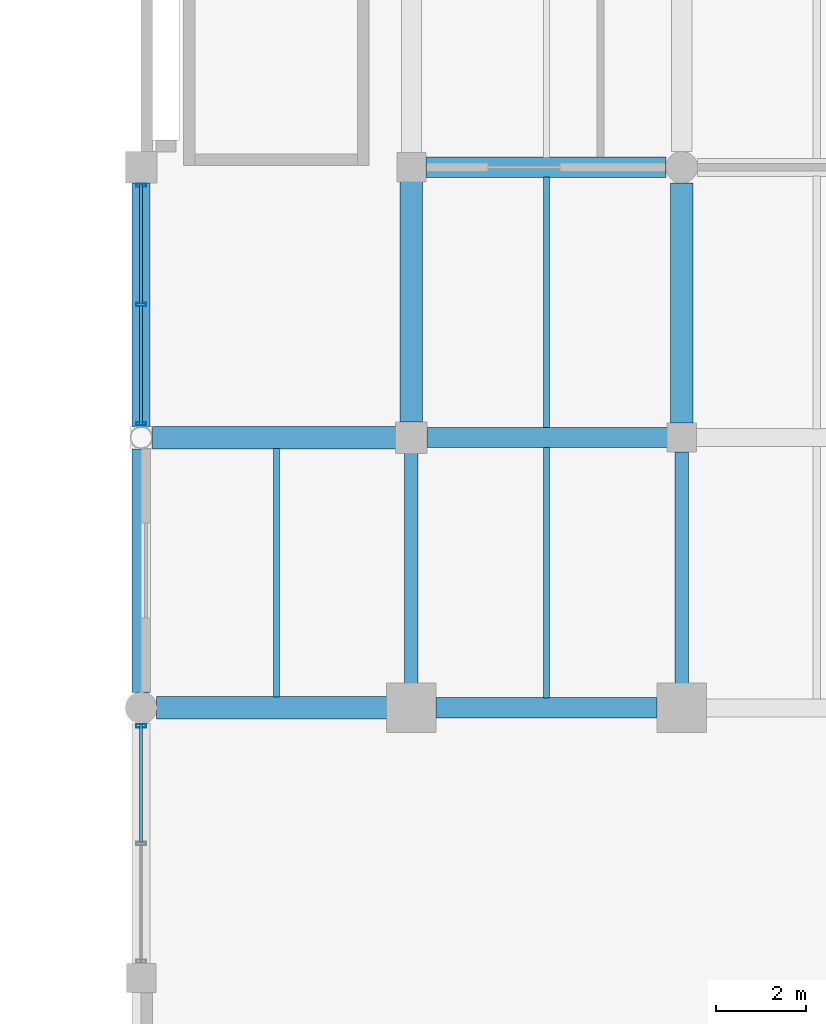
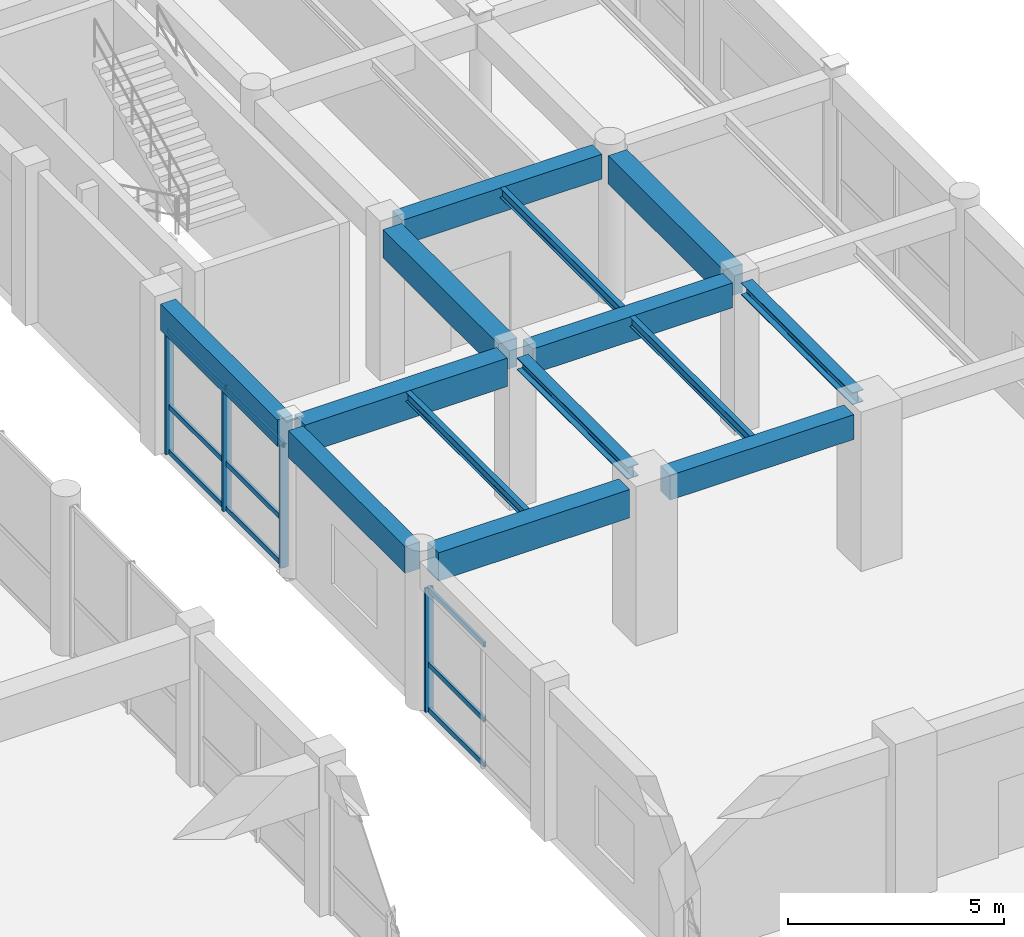
# One storey, part 63 of 116: 14 beams, 13 members, 2 elements without a shape of their own.
"""IFC4 building model written with IfcOpenShell, lengths in metres."""

from ifc_helpers import new_model, si_unit, direction, frame, origin, origin_2d, place, context, subcontext, project, spatial, rectangle, hollow_rectangle, i_section, extrude, material, material_profile, profile_set, type_object, element, aggregate, save


model = new_model("IFC4")

# Units and contexts
model_context = context("Model", 3, precision=1e-05, world=origin(), true_north=direction((0.0, 1.0)))
body_context = subcontext(model_context, "Body", "Model", "MODEL_VIEW")
ifc_project = project(units=[si_unit("LENGTHUNIT", "METRE"), si_unit("AREAUNIT", "SQUARE_METRE"), si_unit("VOLUMEUNIT", "CUBIC_METRE"), si_unit("PLANEANGLEUNIT", "RADIAN"), si_unit("MASSUNIT", "GRAM", prefix="KILO"), si_unit("THERMODYNAMICTEMPERATUREUNIT", "KELVIN"), si_unit("POWERUNIT", "WATT")], contexts=[model_context])

# Site, building, storey
site_placement = place(None, origin())
site = spatial("IfcSite", under=ifc_project, at=site_placement, CompositionType="ELEMENT")
building_placement = place(site_placement, origin())
building = spatial("IfcBuilding", under=site, at=building_placement, Name="Phaisarnlok Congress Hotel", CompositionType="ELEMENT")
storey_placement = place(building_placement, frame((0.0, 0.0, 10.5)))
storey = spatial("IfcBuildingStorey", under=building, at=storey_placement, Name="L02", CompositionType="ELEMENT", Elevation=10.5)

# Beams
ifc_material_1 = material(Name="Concrete C40/50", Category="concrete")
ifc_material_profile_1 = material_profile(ifc_material_1, rectangle(XDim=0.449951171875, YDim=0.699951171875, at=origin_2d()), Name="RC 450x700")
ifc_profile_set_1 = profile_set([ifc_material_profile_1], Name="Concrete C40/50")
beam_type_1 = type_object("IfcBeamType", Name="BM-RC-450x700", PredefinedType="BEAM", material=ifc_profile_set_1)
beam_1_placement = place(storey_placement, frame((168.544921875, 66.0, 3.889892578125), z_axis=(1.0, 0.0, 0.0), x_axis=(0.0, 1.0, 0.0)))
element("IfcBeam", 1, at=beam_1_placement, inside=storey, type_object=beam_type_1, Name="Beam B-03", PredefinedType="BEAM", context=body_context, shape_type="SweptSolid", body=[
    extrude(rectangle(XDim=0.449951171875, YDim=0.699951171875, at=origin_2d()), origin(), (0.0, 0.0, 1.0), 4.91015625),
])
for number, where, z_axis, x_axis, name in (
    (2, (168.344970703125, 72.0, 3.889892578125), (1.0, 0.0, 0.0), (0.0, 1.0, 0.0), "Beam B-03"),
    (3, (168.320068359375, 78.0, 3.889892578125), (1.0, 0.0, 0.0), (0.0, 1.0, 0.0), "Beam B-03"),
):
    element("IfcBeam", number, at=place(storey_placement, frame(where, z_axis=z_axis, x_axis=x_axis)), inside=storey, type_object=beam_type_1, Name=name, PredefinedType="BEAM", context=body_context, shape_type="SweptSolid", body=[
        extrude(rectangle(XDim=0.449951171875, YDim=0.699951171875, at=origin_2d()), origin(), (0.0, 0.0, 1.0), 5.3349609375),
    ])
ifc_material_profile_2 = material_profile(ifc_material_1, rectangle(XDim=0.5, YDim=0.800048828125, at=origin_2d()), Name="RC 500x800")
ifc_profile_set_2 = profile_set([ifc_material_profile_2], Name="Concrete C40/50")
beam_type_2 = type_object("IfcBeamType", Name="BM-RC-500x800", PredefinedType="BEAM", material=ifc_profile_set_2)
beam_2_placement = place(storey_placement, frame((162.344970703125, 66.0, 3.840087890625), z_axis=(1.0, 0.0, 0.0), x_axis=(0.0, 1.0, 0.0)))
element("IfcBeam", 4, at=beam_2_placement, inside=storey, type_object=beam_type_2, Name="Beam B-04", PredefinedType="BEAM", context=body_context, shape_type="SweptSolid", body=[
    extrude(rectangle(XDim=0.5, YDim=0.800048828125, at=origin_2d()), origin(), (0.0, 0.0, 1.0), 5.110107421875),
])
beam_3_placement = place(storey_placement, frame((162.2490234375, 72.0, 3.840087890625), z_axis=(1.0, 0.0, 0.0), x_axis=(0.0, 1.0, 0.0)))
element("IfcBeam", 5, at=beam_3_placement, inside=storey, type_object=beam_type_2, Name="Beam B-04", PredefinedType="BEAM", context=body_context, shape_type="SweptSolid", body=[
    extrude(rectangle(XDim=0.5, YDim=0.800048828125, at=origin_2d()), origin(), (0.0, 0.0, 1.0), 5.406005859375),
])
for number, where, z_axis, x_axis, name in (
    (6, (168.0, 72.344970703125, 3.840087890625), (0.0, 1.0, 0.0), (-1.0, 0.0, 0.0), "Beam B-04"),
    (7, (174.0, 72.320068359375, 3.840087890625), (0.0, 1.0, 0.0), (-1.0, 0.0, 0.0), "Beam B-04"),
):
    element("IfcBeam", number, at=place(storey_placement, frame(where, z_axis=z_axis, x_axis=x_axis)), inside=storey, type_object=beam_type_2, Name=name, PredefinedType="BEAM", context=body_context, shape_type="SweptSolid", body=[
        extrude(rectangle(XDim=0.5, YDim=0.800048828125, at=origin_2d()), origin(), (0.0, 0.0, 1.0), 5.3349609375),
    ])
ifc_material_2 = material(Name="Steel S355", Category="steel")
ifc_material_profile_3 = material_profile(ifc_material_2, i_section(OverallWidth=0.300048828125, OverallDepth=0.340087890625, WebThickness=0.011962890625, FlangeThickness=0.021484375, FilletRadius=0.027099609375, at=origin_2d()), Name="HEB 340")
ifc_profile_set_3 = profile_set([ifc_material_profile_3], Name="Steel S355")
beam_type_3 = type_object("IfcBeamType", Name="BM-STL-HEB340", PredefinedType="BEAM", material=ifc_profile_set_3)
beam_4_placement = place(storey_placement, frame((168.0, 66.544921875, 4.070068359375), z_axis=(0.0, 1.0, 0.0), x_axis=(-1.0, 0.0, 0.0)))
element("IfcBeam", 8, at=beam_4_placement, inside=storey, type_object=beam_type_3, Name="Beam SB-07", PredefinedType="BEAM", context=body_context, shape_type="SweptSolid", body=[
    extrude(i_section(OverallWidth=0.300048828125, OverallDepth=0.340087890625, WebThickness=0.011962890625, FlangeThickness=0.021484375, FilletRadius=0.027099609375, at=origin_2d()), origin(), (0.0, 0.0, 1.0), 5.110107421875),
])
beam_5_placement = place(storey_placement, frame((174.0, 66.544921875, 4.070068359375), z_axis=(0.0, 1.0, 0.0), x_axis=(-1.0, 0.0, 0.0)))
element("IfcBeam", 9, at=beam_5_placement, inside=storey, type_object=beam_type_3, Name="Beam SB-07", PredefinedType="BEAM", context=body_context, shape_type="SweptSolid", body=[
    extrude(i_section(OverallWidth=0.300048828125, OverallDepth=0.340087890625, WebThickness=0.011962890625, FlangeThickness=0.021484375, FilletRadius=0.027099609375, at=origin_2d()), origin(), (0.0, 0.0, 1.0), 5.135009765625),
])

# Curtain wall, members
ifc_material_3 = material(Name="Thermally Broken Unitised Aluminium & Low-E Glazing", Category="aluminium")
curtain_wall_type_1 = type_object("IfcCurtainWallType", Name="CW-UNIT-17", PredefinedType="NOTDEFINED", material=ifc_material_3)
curtain_wall_1_placement = place(storey_placement, origin())
curtain_wall_1 = element("IfcCurtainWall", 10, at=curtain_wall_1_placement, inside=storey, type_object=curtain_wall_type_1, Name="Unitised curtain wall CW-17 (L02)", PredefinedType="NOTDEFINED")
ifc_material_4 = material(Name="Anodised Aluminium Alloy 6063-T6", Category="aluminium")
ifc_material_profile_4 = material_profile(ifc_material_4, hollow_rectangle(XDim=0.074951171875, YDim=0.219970703125, WallThickness=0.0048828125, at=origin_2d()), Name="ALU-M 75x220x5")
ifc_profile_set_4 = profile_set([ifc_material_profile_4], Name="Anodised Aluminium Alloy 6063-T6")
member_type_1 = type_object("IfcMemberType", Name="CWM-220", PredefinedType="MULLION", material=ifc_profile_set_4)
member_1_placement = place(storey_placement, frame((162.0, 77.60009765625, 0.0), z_axis=(0.0, 0.0, 1.0), x_axis=(0.0, -1.0, 0.0)))
member_1 = element("IfcMember", 11, at=member_1_placement, type_object=member_type_1, Name="Curtain wall mullion CWM-02", PredefinedType="MULLION", context=body_context, shape_type="SweptSolid", body=[
    extrude(hollow_rectangle(XDim=0.074951171875, YDim=0.219970703125, WallThickness=0.0048828125, at=origin_2d()), origin(), (0.0, 0.0, 1.0), 3.489990234375),
])
member_2_placement = place(storey_placement, frame((162.0, 74.951904296875, 0.0), z_axis=(0.0, 0.0, 1.0), x_axis=(0.0, -1.0, 0.0)))
member_2 = element("IfcMember", 12, at=member_2_placement, type_object=member_type_1, Name="Curtain wall mullion CWM-02", PredefinedType="MULLION", context=body_context, shape_type="SweptSolid", body=[
    extrude(hollow_rectangle(XDim=0.074951171875, YDim=0.219970703125, WallThickness=0.0048828125, at=origin_2d()), origin(), (0.0, 0.0, 1.0), 3.489990234375),
])
member_3_placement = place(storey_placement, frame((162.0, 72.303955078125, 0.0), z_axis=(0.0, 0.0, 1.0), x_axis=(0.0, -1.0, 0.0)))
member_3 = element("IfcMember", 13, at=member_3_placement, type_object=member_type_1, Name="Curtain wall mullion CWM-02", PredefinedType="MULLION", context=body_context, shape_type="SweptSolid", body=[
    extrude(hollow_rectangle(XDim=0.074951171875, YDim=0.219970703125, WallThickness=0.0048828125, at=origin_2d()), origin(), (0.0, 0.0, 1.0), 3.489990234375),
])

# Curtain wall, member
curtain_wall_type_2 = type_object("IfcCurtainWallType", Name="CW-UNIT-16", PredefinedType="NOTDEFINED", material=ifc_material_3)
curtain_wall_2_placement = place(storey_placement, origin())
curtain_wall_2 = element("IfcCurtainWall", 14, at=curtain_wall_2_placement, inside=storey, type_object=curtain_wall_type_2, Name="Unitised curtain wall CW-16 (L02)", PredefinedType="NOTDEFINED")
member_4_placement = place(storey_placement, frame((162.0, 65.60009765625, 0.0), z_axis=(0.0, 0.0, 1.0), x_axis=(0.0, -1.0, 0.0)))
member_4 = element("IfcMember", 15, at=member_4_placement, type_object=member_type_1, Name="Curtain wall mullion CWM-02", PredefinedType="MULLION", context=body_context, shape_type="SweptSolid", body=[
    extrude(hollow_rectangle(XDim=0.074951171875, YDim=0.219970703125, WallThickness=0.0048828125, at=origin_2d()), origin(), (0.0, 0.0, 1.0), 3.489990234375),
])

# Member
ifc_material_profile_5 = material_profile(ifc_material_4, hollow_rectangle(XDim=0.06494140625, YDim=0.139892578125, WallThickness=0.00390625, at=origin_2d()), Name="ALU-T 65x140x4")
ifc_profile_set_5 = profile_set([ifc_material_profile_5], Name="Anodised Aluminium Alloy 6063-T6")
member_type_2 = type_object("IfcMemberType", Name="CWT-150", PredefinedType="USERDEFINED", material=ifc_profile_set_5)
member_5_placement = place(storey_placement, frame((162.0, 77.625, 0.050048828125), z_axis=(0.0, -1.0, 0.0), x_axis=(1.0, 0.0, 0.0)))
member_5 = element("IfcMember", 16, at=member_5_placement, type_object=member_type_2, Name="Curtain wall transom CWT-01", ObjectType="TRANSOM", PredefinedType="USERDEFINED", context=body_context, shape_type="SweptSolid", body=[
    extrude(hollow_rectangle(XDim=0.06494140625, YDim=0.139892578125, WallThickness=0.00390625, at=origin_2d()), origin(), (0.0, 0.0, 1.0), 2.657958984375),
])

member_6_placement = place(storey_placement, frame((162.0, 77.625, 1.326171875), z_axis=(0.0, -1.0, 0.0), x_axis=(1.0, 0.0, 0.0)))
member_6 = element("IfcMember", 17, at=member_6_placement, type_object=member_type_2, Name="Curtain wall transom CWT-01", ObjectType="TRANSOM", PredefinedType="USERDEFINED", context=body_context, shape_type="SweptSolid", body=[
    extrude(hollow_rectangle(XDim=0.06494140625, YDim=0.139892578125, WallThickness=0.00390625, at=origin_2d()), origin(), (0.0, 0.0, 1.0), 2.657958984375),
])

member_7_placement = place(storey_placement, frame((162.0, 77.625, 3.43994140625), z_axis=(0.0, -1.0, 0.0), x_axis=(1.0, 0.0, 0.0)))
member_7 = element("IfcMember", 18, at=member_7_placement, type_object=member_type_2, Name="Curtain wall transom CWT-01", ObjectType="TRANSOM", PredefinedType="USERDEFINED", context=body_context, shape_type="SweptSolid", body=[
    extrude(hollow_rectangle(XDim=0.06494140625, YDim=0.139892578125, WallThickness=0.00390625, at=origin_2d()), origin(), (0.0, 0.0, 1.0), 2.657958984375),
])

member_8_placement = place(storey_placement, frame((162.0, 74.93701171875, 0.050048828125), z_axis=(0.0, -1.0, 0.0), x_axis=(1.0, 0.0, 0.0)))
member_8 = element("IfcMember", 19, at=member_8_placement, type_object=member_type_2, Name="Curtain wall transom CWT-01", ObjectType="TRANSOM", PredefinedType="USERDEFINED", context=body_context, shape_type="SweptSolid", body=[
    extrude(hollow_rectangle(XDim=0.06494140625, YDim=0.139892578125, WallThickness=0.00390625, at=origin_2d()), origin(), (0.0, 0.0, 1.0), 2.657958984375),
])

member_9_placement = place(storey_placement, frame((162.0, 74.93701171875, 1.326171875), z_axis=(0.0, -1.0, 0.0), x_axis=(1.0, 0.0, 0.0)))
member_9 = element("IfcMember", 20, at=member_9_placement, type_object=member_type_2, Name="Curtain wall transom CWT-01", ObjectType="TRANSOM", PredefinedType="USERDEFINED", context=body_context, shape_type="SweptSolid", body=[
    extrude(hollow_rectangle(XDim=0.06494140625, YDim=0.139892578125, WallThickness=0.00390625, at=origin_2d()), origin(), (0.0, 0.0, 1.0), 2.657958984375),
])

member_10_placement = place(storey_placement, frame((162.0, 74.93701171875, 3.43994140625), z_axis=(0.0, -1.0, 0.0), x_axis=(1.0, 0.0, 0.0)))
member_10 = element("IfcMember", 21, at=member_10_placement, type_object=member_type_2, Name="Curtain wall transom CWT-01", ObjectType="TRANSOM", PredefinedType="USERDEFINED", context=body_context, shape_type="SweptSolid", body=[
    extrude(hollow_rectangle(XDim=0.06494140625, YDim=0.139892578125, WallThickness=0.00390625, at=origin_2d()), origin(), (0.0, 0.0, 1.0), 2.657958984375),
])

aggregate(curtain_wall_1, [member_1, member_2, member_3, member_5, member_6, member_7, member_8, member_9, member_10])

member_11_placement = place(storey_placement, frame((162.0, 65.625, 0.050048828125), z_axis=(0.0, -1.0, 0.0), x_axis=(1.0, 0.0, 0.0)))
member_11 = element("IfcMember", 22, at=member_11_placement, type_object=member_type_2, Name="Curtain wall transom CWT-01", ObjectType="TRANSOM", PredefinedType="USERDEFINED", context=body_context, shape_type="SweptSolid", body=[
    extrude(hollow_rectangle(XDim=0.06494140625, YDim=0.139892578125, WallThickness=0.00390625, at=origin_2d()), origin(), (0.0, 0.0, 1.0), 2.62255859375),
])

member_12_placement = place(storey_placement, frame((162.0, 65.625, 1.326171875), z_axis=(0.0, -1.0, 0.0), x_axis=(1.0, 0.0, 0.0)))
member_12 = element("IfcMember", 23, at=member_12_placement, type_object=member_type_2, Name="Curtain wall transom CWT-01", ObjectType="TRANSOM", PredefinedType="USERDEFINED", context=body_context, shape_type="SweptSolid", body=[
    extrude(hollow_rectangle(XDim=0.06494140625, YDim=0.139892578125, WallThickness=0.00390625, at=origin_2d()), origin(), (0.0, 0.0, 1.0), 2.62255859375),
])

member_13_placement = place(storey_placement, frame((162.0, 65.625, 3.43994140625), z_axis=(0.0, -1.0, 0.0), x_axis=(1.0, 0.0, 0.0)))
member_13 = element("IfcMember", 24, at=member_13_placement, type_object=member_type_2, Name="Curtain wall transom CWT-01", ObjectType="TRANSOM", PredefinedType="USERDEFINED", context=body_context, shape_type="SweptSolid", body=[
    extrude(hollow_rectangle(XDim=0.06494140625, YDim=0.139892578125, WallThickness=0.00390625, at=origin_2d()), origin(), (0.0, 0.0, 1.0), 2.62255859375),
])

aggregate(curtain_wall_2, [member_4, member_11, member_12, member_13])

# Beams
ifc_material_profile_6 = material_profile(ifc_material_2, i_section(OverallWidth=0.135009765625, OverallDepth=0.27001953125, WebThickness=0.006591796875, FlangeThickness=0.01025390625, FilletRadius=0.014892578125, at=origin_2d()), Name="IPE 270")
ifc_profile_set_6 = profile_set([ifc_material_profile_6], Name="Steel S355")
beam_type_4 = type_object("IfcBeamType", Name="JS-STL-IPE270", PredefinedType="JOIST", material=ifc_profile_set_6)
beam_6_placement = place(storey_placement, frame((165.0, 66.2451171875, 4.10498046875), z_axis=(0.0, 1.0, 0.0), x_axis=(-1.0, 0.0, 0.0)))
element("IfcBeam", 25, at=beam_6_placement, inside=storey, type_object=beam_type_4, Name="Secondary floor joist J-02", PredefinedType="JOIST", context=body_context, shape_type="SweptSolid", body=[
    extrude(i_section(OverallWidth=0.135009765625, OverallDepth=0.27001953125, WebThickness=0.006591796875, FlangeThickness=0.01025390625, FilletRadius=0.014892578125, at=origin_2d()), origin(), (0.0, 0.0, 1.0), 5.509765625),
])
for number, where, z_axis, x_axis, name in (
    (26, (171.0, 66.219970703125, 4.10498046875), (0.0, 1.0, 0.0), (-1.0, 0.0, 0.0), "Secondary floor joist J-02"),
    (27, (171.0, 72.219970703125, 4.10498046875), (0.0, 1.0, 0.0), (-1.0, 0.0, 0.0), "Secondary floor joist J-02"),
):
    element("IfcBeam", number, at=place(storey_placement, frame(where, z_axis=z_axis, x_axis=x_axis)), inside=storey, type_object=beam_type_4, Name=name, PredefinedType="JOIST", context=body_context, shape_type="SweptSolid", body=[
        extrude(i_section(OverallWidth=0.135009765625, OverallDepth=0.27001953125, WebThickness=0.006591796875, FlangeThickness=0.01025390625, FilletRadius=0.014892578125, at=origin_2d()), origin(), (0.0, 0.0, 1.0), 5.56005859375),
    ])
ifc_material_profile_7 = material_profile(ifc_material_1, rectangle(XDim=0.39990234375, YDim=0.75, at=origin_2d()), Name="RC 400x750")
ifc_profile_set_7 = profile_set([ifc_material_profile_7], Name="Concrete C40/50")
beam_type_5 = type_object("IfcBeamType", Name="SP-RC-400x750", PredefinedType="SPANDREL", material=ifc_profile_set_7)
for number, where, z_axis, x_axis, name in (
    (28, (162.0, 66.344970703125, 3.864990234375), (0.0, 1.0, 0.0), (-1.0, 0.0, 0.0), "Beam SP-02"),
    (29, (162.0, 72.2490234375, 3.864990234375), (0.0, 1.0, 0.0), (-1.0, 0.0, 0.0), "Beam SP-02"),
):
    element("IfcBeam", number, at=place(storey_placement, frame(where, z_axis=z_axis, x_axis=x_axis)), inside=storey, type_object=beam_type_5, Name=name, PredefinedType="SPANDREL", context=body_context, shape_type="SweptSolid", body=[
        extrude(rectangle(XDim=0.39990234375, YDim=0.75, at=origin_2d()), origin(), (0.0, 0.0, 1.0), 5.406005859375),
    ])

save(model, "model.ifc")
